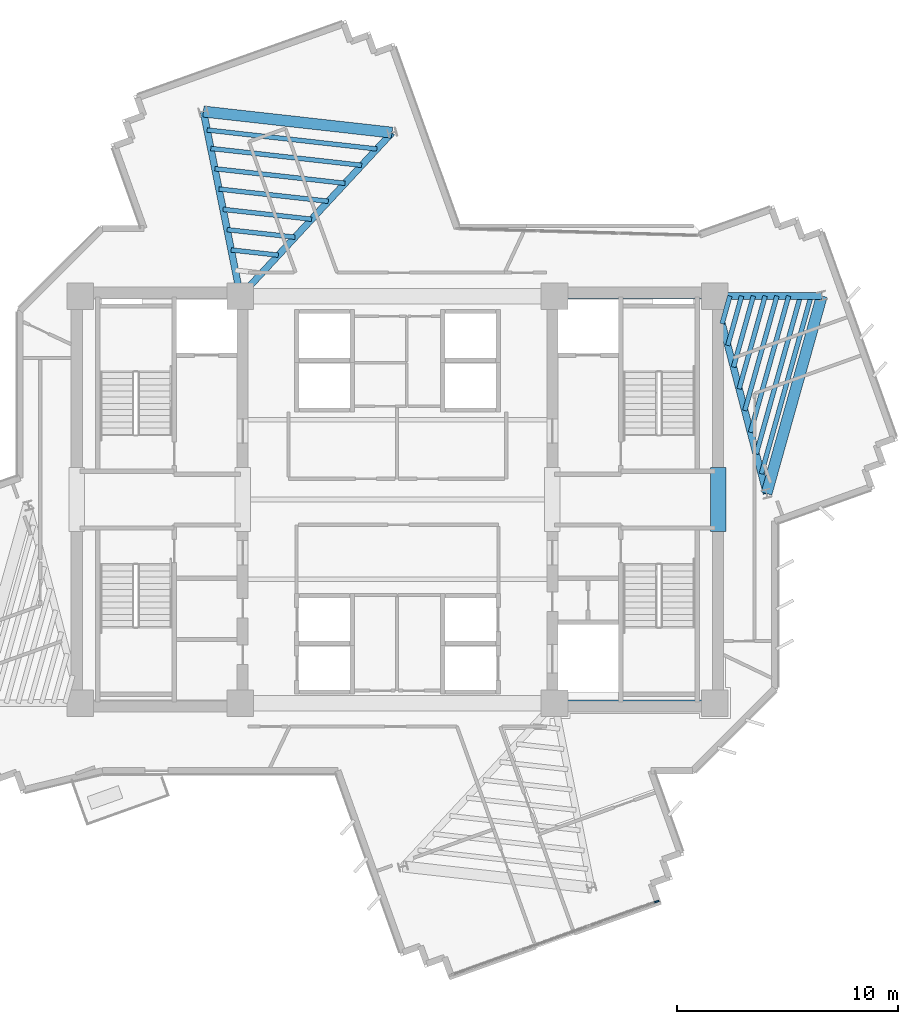
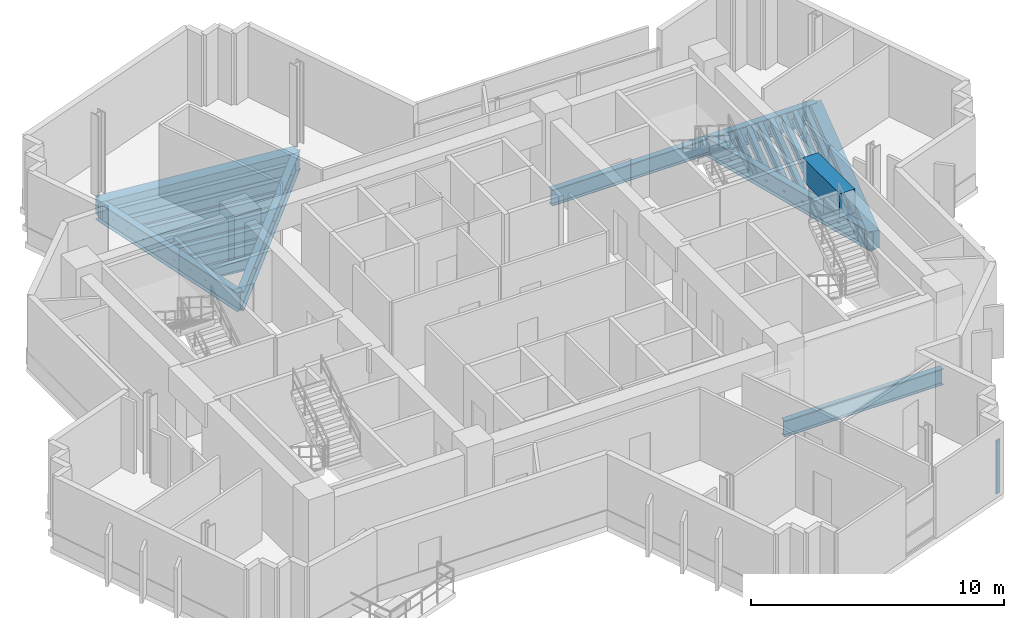
# One storey, part 3 of 13: 24 beams, 1 member, 1 element without a shape of its own.
"""IFC4 building model written with IfcOpenShell, lengths in metres."""

from ifc_helpers import new_model, si_unit, direction, frame, origin, origin_2d, place, context, subcontext, project, spatial, rectangle, i_section, extrude, source, transform, mapped, material, layer, layer_set, material_profile, profile_set, type_object, element, aggregate, save


model = new_model("IFC4")

# Units and contexts
model_context = context("Model", 3, precision=1e-05, world=origin(), true_north=direction((0.0, 1.0)))
body_context = subcontext(model_context, "Body", "Model", "MODEL_VIEW")
ifc_project = project(units=[si_unit("LENGTHUNIT", "METRE"), si_unit("AREAUNIT", "SQUARE_METRE"), si_unit("VOLUMEUNIT", "CUBIC_METRE"), si_unit("PLANEANGLEUNIT", "RADIAN"), si_unit("MASSUNIT", "GRAM", prefix="KILO")], contexts=[model_context])

# Site, building, storey
site_placement = place(None, origin())
site = spatial("IfcSite", under=ifc_project, at=site_placement, CompositionType="ELEMENT")
building_placement = place(site_placement, origin())
building = spatial("IfcBuilding", under=site, at=building_placement, Name="Zahravan Cultural Tower", CompositionType="ELEMENT")
storey_placement = place(building_placement, frame((0.0, 0.0, 225.300048828125)))
storey = spatial("IfcBuildingStorey", under=building, at=storey_placement, Name="L53", CompositionType="ELEMENT", Elevation=225.300048828125)

# Beams
ifc_material_1 = material(Name="Concrete C50/60", Category="concrete")
ifc_material_profile_1 = material_profile(ifc_material_1, rectangle(XDim=0.699951171875, YDim=1.14990234375, at=origin_2d()), Name="RC700X1150")
ifc_profile_set_1 = profile_set([ifc_material_profile_1], Name="Concrete C50/60")
beam_type_1 = type_object("IfcBeamType", Name="BM-LN-RC700X1150", PredefinedType="LINTEL", material=ifc_profile_set_1)
shared_shape_1 = source(origin(), body_context, "Body", "SweptSolid", [
    extrude(rectangle(XDim=0.699951171875, YDim=1.14990234375, at=origin_2d()), origin(), (0.0, 0.0, 1.0), 2.89990234375),
])
beam_1_placement = place(storey_placement, frame((50.5, 25.550048828125, 2.875), z_axis=(0.0, 1.0, 0.0), x_axis=(-1.0, 0.0, 0.0)))
element("IfcBeam", 1, at=beam_1_placement, inside=storey, type_object=beam_type_1, Name="L53 Beam LN-L53-PEE", PredefinedType="LINTEL", context=body_context, shape_type="MappedRepresentation", body=[
    mapped(shared_shape_1, transform((0.0, 0.0, 0.0), x_axis=(1.0, 0.0, 0.0), y_axis=(0.0, 1.0, 0.0), z_axis=(0.0, 0.0, 1.0), scale=1.0)),
])
ifc_material_2 = material(Name="Steel ASTM A992 Grade 50", Category="steel")
ifc_material_profile_2 = material_profile(ifc_material_2, i_section(OverallWidth=0.26611328125, OverallDepth=0.780029296875, WebThickness=0.0166015625, FlangeThickness=0.030029296875, FilletRadius=0.01904296875, at=origin_2d()), Name="W30X148")
ifc_profile_set_2 = profile_set([ifc_material_profile_2], Name="Steel ASTM A992 Grade 50")
beam_type_2 = type_object("IfcBeamType", Name="BM-G-W30X148", PredefinedType="BEAM", material=ifc_profile_set_2)
shared_shape_2 = source(origin(), body_context, "Body", "SweptSolid", [
    extrude(i_section(OverallWidth=0.26611328125, OverallDepth=0.780029296875, WebThickness=0.0166015625, FlangeThickness=0.030029296875, FilletRadius=0.01904296875, at=origin_2d()), origin(), (0.0, 0.0, 1.0), 7.25),
])
for number, where, z_axis, x_axis, name in (
    (2, (43.10009765625, 17.800048828125, -0.670166015625), (1.0, 0.0, 0.0), (0.0, 1.0, 0.0), "L53 Beam BG-L53-04"),
    (3, (43.10009765625, 36.199951171875, -0.670166015625), (1.0, 0.0, 0.0), (0.0, 1.0, 0.0), "L53 Beam BG-L53-05"),
):
    element("IfcBeam", number, at=place(storey_placement, frame(where, z_axis=z_axis, x_axis=x_axis)), inside=storey, type_object=beam_type_2, Name=name, PredefinedType="BEAM", context=body_context, shape_type="MappedRepresentation", body=[
        mapped(shared_shape_2, transform((0.0, 0.0, 0.0), x_axis=(1.0, 0.0, 0.0), y_axis=(0.0, 1.0, 0.0), z_axis=(0.0, 0.0, 1.0), scale=1.0)),
    ])
ifc_material_profile_3 = material_profile(ifc_material_2, i_section(OverallWidth=0.304931640625, OverallDepth=0.9189453125, WebThickness=0.017333984375, FlangeThickness=0.02783203125, FilletRadius=0.02392578125, at=origin_2d()), Name="W36X170")
ifc_profile_set_3 = profile_set([ifc_material_profile_3], Name="Steel ASTM A992 Grade 50")
beam_type_3 = type_object("IfcBeamType", Name="BM-G-W36X170", PredefinedType="BEAM", material=ifc_profile_set_3)
shared_shape_3 = source(origin(), body_context, "Body", "SweptSolid", [
    extrude(i_section(OverallWidth=0.304931640625, OverallDepth=0.9189453125, WebThickness=0.017333984375, FlangeThickness=0.02783203125, FilletRadius=0.02392578125, at=origin_2d()), origin(), (0.0, 0.0, 1.0), 9.22900390625),
])
beam_2_placement = place(storey_placement, frame((50.35009765625, 36.199951171875, -0.739501953125), z_axis=(0.252922608408, -0.967486513682, 0.0), x_axis=(0.967486513682, 0.252922608408, 0.0)))
element("IfcBeam", 4, at=beam_2_placement, inside=storey, type_object=beam_type_3, Name="L53 Beam BG-L53-11", PredefinedType="BEAM", context=body_context, shape_type="MappedRepresentation", body=[
    mapped(shared_shape_3, transform((0.0, 0.0, 0.0), x_axis=(1.0, 0.0, 0.0), y_axis=(0.0, 1.0, 0.0), z_axis=(0.0, 0.0, 1.0), scale=1.0)),
])
shared_shape_4 = source(origin(), body_context, "Body", "SweptSolid", [
    extrude(i_section(OverallWidth=0.304931640625, OverallDepth=0.9189453125, WebThickness=0.017333984375, FlangeThickness=0.02783203125, FilletRadius=0.02392578125, at=origin_2d()), origin(), (0.0, 0.0, 1.0), 4.834716796875),
])
beam_3_placement = place(storey_placement, frame((50.35009765625, 36.199951171875, -0.739501953125), z_axis=(0.99999920313, 0.001262433979, 0.0), x_axis=(-0.001262433979, 0.99999920313, 0.0)))
element("IfcBeam", 5, at=beam_3_placement, inside=storey, type_object=beam_type_3, Name="L53 Beam BG-L53-12", PredefinedType="BEAM", context=body_context, shape_type="MappedRepresentation", body=[
    mapped(shared_shape_4, transform((0.0, 0.0, 0.0), x_axis=(1.0, 0.0, 0.0), y_axis=(0.0, 1.0, 0.0), z_axis=(0.0, 0.0, 1.0), scale=1.0)),
])
shared_shape_5 = source(origin(), body_context, "Body", "SweptSolid", [
    extrude(i_section(OverallWidth=0.304931640625, OverallDepth=0.9189453125, WebThickness=0.017333984375, FlangeThickness=0.02783203125, FilletRadius=0.02392578125, at=origin_2d()), origin(), (0.0, 0.0, 1.0), 10.077880859375),
])
beam_4_placement = place(storey_placement, frame((28.89990234375, 36.199951171875, -0.739501953125), z_axis=(0.680170435587, 0.733054007938, 0.0), x_axis=(-0.733054007938, 0.680170435587, 0.0)))
element("IfcBeam", 6, at=beam_4_placement, inside=storey, type_object=beam_type_3, Name="L53 Beam BG-L53-13", PredefinedType="BEAM", context=body_context, shape_type="MappedRepresentation", body=[
    mapped(shared_shape_5, transform((0.0, 0.0, 0.0), x_axis=(1.0, 0.0, 0.0), y_axis=(0.0, 1.0, 0.0), z_axis=(0.0, 0.0, 1.0), scale=1.0)),
])
shared_shape_6 = source(origin(), body_context, "Body", "SweptSolid", [
    extrude(i_section(OverallWidth=0.304931640625, OverallDepth=0.9189453125, WebThickness=0.017333984375, FlangeThickness=0.02783203125, FilletRadius=0.02392578125, at=origin_2d()), origin(), (0.0, 0.0, 1.0), 8.50732421875),
])
beam_5_placement = place(storey_placement, frame((28.89990234375, 36.199951171875, -0.739501953125), z_axis=(-0.196524514012, 0.980498911469, 0.0), x_axis=(-0.980498911469, -0.196524514012, 0.0)))
element("IfcBeam", 7, at=beam_5_placement, inside=storey, type_object=beam_type_3, Name="L53 Beam BG-L53-14", PredefinedType="BEAM", context=body_context, shape_type="MappedRepresentation", body=[
    mapped(shared_shape_6, transform((0.0, 0.0, 0.0), x_axis=(1.0, 0.0, 0.0), y_axis=(0.0, 1.0, 0.0), z_axis=(0.0, 0.0, 1.0), scale=1.0)),
])
ifc_material_profile_4 = material_profile(ifc_material_1, rectangle(XDim=0.5, YDim=0.85009765625, at=origin_2d()), Name="RC500X850")
ifc_profile_set_4 = profile_set([ifc_material_profile_4], Name="Concrete C50/60")
beam_type_4 = type_object("IfcBeamType", Name="BM-SP-RC500X850", PredefinedType="SPANDREL", material=ifc_profile_set_4)
shared_shape_7 = source(origin(), body_context, "Body", "SweptSolid", [
    extrude(rectangle(XDim=0.5, YDim=0.85009765625, at=origin_2d()), origin(), (0.0, 0.0, 1.0), 9.2783203125),
])
beam_6_placement = place(storey_placement, frame((52.684326171875, 27.27099609375, -0.705078125), z_axis=(0.269497187032, 0.963001176625, 0.0), x_axis=(-0.963001176625, 0.269497187032, 0.0)))
element("IfcBeam", 8, at=beam_6_placement, inside=storey, type_object=beam_type_4, Name="L53 Beam SP-L53-17", PredefinedType="SPANDREL", context=body_context, shape_type="MappedRepresentation", body=[
    mapped(shared_shape_7, transform((0.0, 0.0, 0.0), x_axis=(1.0, 0.0, 0.0), y_axis=(0.0, 1.0, 0.0), z_axis=(0.0, 0.0, 1.0), scale=1.0)),
])
shared_shape_8 = source(origin(), body_context, "Body", "SweptSolid", [
    extrude(rectangle(XDim=0.5, YDim=0.85009765625, at=origin_2d()), origin(), (0.0, 0.0, 1.0), 8.579833984375),
])
beam_7_placement = place(storey_placement, frame((35.754638671875, 43.587646484375, -0.705078125), z_axis=(-0.9938040105, 0.11114669907, 0.0), x_axis=(-0.11114669907, -0.9938040105, 0.0)))
element("IfcBeam", 9, at=beam_7_placement, inside=storey, type_object=beam_type_4, Name="L53 Beam SP-L53-18", PredefinedType="SPANDREL", context=body_context, shape_type="MappedRepresentation", body=[
    mapped(shared_shape_8, transform((0.0, 0.0, 0.0), x_axis=(1.0, 0.0, 0.0), y_axis=(0.0, 1.0, 0.0), z_axis=(0.0, 0.0, 1.0), scale=1.0)),
])
ifc_material_profile_5 = material_profile(ifc_material_2, i_section(OverallWidth=0.2099609375, OverallDepth=0.532958984375, WebThickness=0.01025390625, FlangeThickness=0.015625, FilletRadius=0.013916015625, at=origin_2d()), Name="W21X62")
ifc_profile_set_5 = profile_set([ifc_material_profile_5], Name="Steel ASTM A992 Grade 50")
beam_type_5 = type_object("IfcBeamType", Name="BM-J-W21X62", PredefinedType="JOIST", material=ifc_profile_set_5)
shared_shape_9 = source(origin(), body_context, "Body", "SweptSolid", [
    extrude(i_section(OverallWidth=0.2099609375, OverallDepth=0.532958984375, WebThickness=0.01025390625, FlangeThickness=0.015625, FilletRadius=0.013916015625, at=origin_2d()), origin(), (0.0, 0.0, 1.0), 1.299072265625),
])
beam_8_placement = place(storey_placement, frame((50.6767578125, 34.949951171875, -0.546630859375), z_axis=(0.269504444708, 0.962999145525, 0.0), x_axis=(-0.962999145525, 0.269504444708, 0.0)))
element("IfcBeam", 10, at=beam_8_placement, inside=storey, type_object=beam_type_5, Name="L53 Beam BJ-L53-38", PredefinedType="JOIST", context=body_context, shape_type="MappedRepresentation", body=[
    mapped(shared_shape_9, transform((0.0, 0.0, 0.0), x_axis=(1.0, 0.0, 0.0), y_axis=(0.0, 1.0, 0.0), z_axis=(0.0, 0.0, 1.0), scale=1.0)),
])
shared_shape_10 = source(origin(), body_context, "Body", "SweptSolid", [
    extrude(i_section(OverallWidth=0.2099609375, OverallDepth=0.532958984375, WebThickness=0.01025390625, FlangeThickness=0.015625, FilletRadius=0.013916015625, at=origin_2d()), origin(), (0.0, 0.0, 1.0), 2.3193359375),
])
beam_9_placement = place(storey_placement, frame((50.93359375, 33.9677734375, -0.546630859375), z_axis=(0.269462038626, 0.963011012263, 0.0), x_axis=(-0.963011012263, 0.269462038626, 0.0)))
element("IfcBeam", 11, at=beam_9_placement, inside=storey, type_object=beam_type_5, Name="L53 Beam BJ-L53-39", PredefinedType="JOIST", context=body_context, shape_type="MappedRepresentation", body=[
    mapped(shared_shape_10, transform((0.0, 0.0, 0.0), x_axis=(1.0, 0.0, 0.0), y_axis=(0.0, 1.0, 0.0), z_axis=(0.0, 0.0, 1.0), scale=1.0)),
])
shared_shape_11 = source(origin(), body_context, "Body", "SweptSolid", [
    extrude(i_section(OverallWidth=0.2099609375, OverallDepth=0.532958984375, WebThickness=0.01025390625, FlangeThickness=0.015625, FilletRadius=0.013916015625, at=origin_2d()), origin(), (0.0, 0.0, 1.0), 3.340087890625),
])
beam_10_placement = place(storey_placement, frame((51.190185546875, 32.985595703125, -0.546630859375), z_axis=(0.269562146951, 0.962982995141, 0.0), x_axis=(-0.962982995141, 0.269562146951, 0.0)))
element("IfcBeam", 12, at=beam_10_placement, inside=storey, type_object=beam_type_5, Name="L53 Beam BJ-L53-40", PredefinedType="JOIST", context=body_context, shape_type="MappedRepresentation", body=[
    mapped(shared_shape_11, transform((0.0, 0.0, 0.0), x_axis=(1.0, 0.0, 0.0), y_axis=(0.0, 1.0, 0.0), z_axis=(0.0, 0.0, 1.0), scale=1.0)),
])
shared_shape_12 = source(origin(), body_context, "Body", "SweptSolid", [
    extrude(i_section(OverallWidth=0.2099609375, OverallDepth=0.532958984375, WebThickness=0.01025390625, FlangeThickness=0.015625, FilletRadius=0.013916015625, at=origin_2d()), origin(), (0.0, 0.0, 1.0), 4.36083984375),
])
beam_11_placement = place(storey_placement, frame((51.447021484375, 32.00341796875, -0.546630859375), z_axis=(0.269511557673, 0.962997154866, 0.0), x_axis=(-0.962997154866, 0.269511557673, 0.0)))
element("IfcBeam", 13, at=beam_11_placement, inside=storey, type_object=beam_type_5, Name="L53 Beam BJ-L53-41", PredefinedType="JOIST", context=body_context, shape_type="MappedRepresentation", body=[
    mapped(shared_shape_12, transform((0.0, 0.0, 0.0), x_axis=(1.0, 0.0, 0.0), y_axis=(0.0, 1.0, 0.0), z_axis=(0.0, 0.0, 1.0), scale=1.0)),
])
shared_shape_13 = source(origin(), body_context, "Body", "SweptSolid", [
    extrude(i_section(OverallWidth=0.2099609375, OverallDepth=0.532958984375, WebThickness=0.01025390625, FlangeThickness=0.015625, FilletRadius=0.013916015625, at=origin_2d()), origin(), (0.0, 0.0, 1.0), 5.3818359375),
])
beam_12_placement = place(storey_placement, frame((51.703857421875, 31.02099609375, -0.546630859375), z_axis=(0.269510454638, 0.962997463569, 0.0), x_axis=(-0.962997463569, 0.269510454638, 0.0)))
element("IfcBeam", 14, at=beam_12_placement, inside=storey, type_object=beam_type_5, Name="L53 Beam BJ-L53-42", PredefinedType="JOIST", context=body_context, shape_type="MappedRepresentation", body=[
    mapped(shared_shape_13, transform((0.0, 0.0, 0.0), x_axis=(1.0, 0.0, 0.0), y_axis=(0.0, 1.0, 0.0), z_axis=(0.0, 0.0, 1.0), scale=1.0)),
])
shared_shape_14 = source(origin(), body_context, "Body", "SweptSolid", [
    extrude(i_section(OverallWidth=0.2099609375, OverallDepth=0.532958984375, WebThickness=0.01025390625, FlangeThickness=0.015625, FilletRadius=0.013916015625, at=origin_2d()), origin(), (0.0, 0.0, 1.0), 6.402099609375),
])
beam_13_placement = place(storey_placement, frame((51.960693359375, 30.038818359375, -0.546630859375), z_axis=(0.269494133533, 0.963002031146, 0.0), x_axis=(-0.963002031146, 0.269494133533, 0.0)))
element("IfcBeam", 15, at=beam_13_placement, inside=storey, type_object=beam_type_5, Name="L53 Beam BJ-L53-43", PredefinedType="JOIST", context=body_context, shape_type="MappedRepresentation", body=[
    mapped(shared_shape_14, transform((0.0, 0.0, 0.0), x_axis=(1.0, 0.0, 0.0), y_axis=(0.0, 1.0, 0.0), z_axis=(0.0, 0.0, 1.0), scale=1.0)),
])
shared_shape_15 = source(origin(), body_context, "Body", "SweptSolid", [
    extrude(i_section(OverallWidth=0.2099609375, OverallDepth=0.532958984375, WebThickness=0.01025390625, FlangeThickness=0.015625, FilletRadius=0.013916015625, at=origin_2d()), origin(), (0.0, 0.0, 1.0), 7.4228515625),
])
beam_14_placement = place(storey_placement, frame((52.21728515625, 29.056640625, -0.546630859375), z_axis=(0.269504266128, 0.962999195503, 0.0), x_axis=(-0.962999195503, 0.269504266128, 0.0)))
element("IfcBeam", 16, at=beam_14_placement, inside=storey, type_object=beam_type_5, Name="L53 Beam BJ-L53-44", PredefinedType="JOIST", context=body_context, shape_type="MappedRepresentation", body=[
    mapped(shared_shape_15, transform((0.0, 0.0, 0.0), x_axis=(1.0, 0.0, 0.0), y_axis=(0.0, 1.0, 0.0), z_axis=(0.0, 0.0, 1.0), scale=1.0)),
])
shared_shape_16 = source(origin(), body_context, "Body", "SweptSolid", [
    extrude(i_section(OverallWidth=0.2099609375, OverallDepth=0.532958984375, WebThickness=0.01025390625, FlangeThickness=0.015625, FilletRadius=0.013916015625, at=origin_2d()), origin(), (0.0, 0.0, 1.0), 8.350830078125),
])
beam_15_placement = place(storey_placement, frame((52.450927734375, 28.163818359375, -0.546630859375), z_axis=(0.269496539555, 0.963001357822, 0.0), x_axis=(-0.963001357822, 0.269496539555, 0.0)))
element("IfcBeam", 17, at=beam_15_placement, inside=storey, type_object=beam_type_5, Name="L53 Beam BJ-L53-45", PredefinedType="JOIST", context=body_context, shape_type="MappedRepresentation", body=[
    mapped(shared_shape_16, transform((0.0, 0.0, 0.0), x_axis=(1.0, 0.0, 0.0), y_axis=(0.0, 1.0, 0.0), z_axis=(0.0, 0.0, 1.0), scale=1.0)),
])
shared_shape_17 = source(origin(), body_context, "Body", "SweptSolid", [
    extrude(i_section(OverallWidth=0.2099609375, OverallDepth=0.532958984375, WebThickness=0.01025390625, FlangeThickness=0.015625, FilletRadius=0.013916015625, at=origin_2d()), origin(), (0.0, 0.0, 1.0), 2.144775390625),
])
beam_16_placement = place(storey_placement, frame((30.613525390625, 38.046875, -0.546630859375), z_axis=(-0.993797370806, 0.111206051, 0.0), x_axis=(-0.111206051, -0.993797370806, 0.0)))
element("IfcBeam", 18, at=beam_16_placement, inside=storey, type_object=beam_type_5, Name="L53 Beam BJ-L53-47", PredefinedType="JOIST", context=body_context, shape_type="MappedRepresentation", body=[
    mapped(shared_shape_17, transform((0.0, 0.0, 0.0), x_axis=(1.0, 0.0, 0.0), y_axis=(0.0, 1.0, 0.0), z_axis=(0.0, 0.0, 1.0), scale=1.0)),
])
shared_shape_18 = source(origin(), body_context, "Body", "SweptSolid", [
    extrude(i_section(OverallWidth=0.2099609375, OverallDepth=0.532958984375, WebThickness=0.01025390625, FlangeThickness=0.015625, FilletRadius=0.013916015625, at=origin_2d()), origin(), (0.0, 0.0, 1.0), 3.088623046875),
])
beam_17_placement = place(storey_placement, frame((31.36767578125, 38.859619140625, -0.546630859375), z_axis=(-0.993805407368, 0.111134208443, 0.0), x_axis=(-0.111134208443, -0.993805407368, 0.0)))
element("IfcBeam", 19, at=beam_17_placement, inside=storey, type_object=beam_type_5, Name="L53 Beam BJ-L53-48", PredefinedType="JOIST", context=body_context, shape_type="MappedRepresentation", body=[
    mapped(shared_shape_18, transform((0.0, 0.0, 0.0), x_axis=(1.0, 0.0, 0.0), y_axis=(0.0, 1.0, 0.0), z_axis=(0.0, 0.0, 1.0), scale=1.0)),
])
shared_shape_19 = source(origin(), body_context, "Body", "SweptSolid", [
    extrude(i_section(OverallWidth=0.2099609375, OverallDepth=0.532958984375, WebThickness=0.01025390625, FlangeThickness=0.015625, FilletRadius=0.013916015625, at=origin_2d()), origin(), (0.0, 0.0, 1.0), 4.0322265625),
])
beam_18_placement = place(storey_placement, frame((32.12158203125, 39.672119140625, -0.546630859375), z_axis=(-0.993802245601, 0.11116247855, 0.0), x_axis=(-0.11116247855, -0.993802245601, 0.0)))
element("IfcBeam", 20, at=beam_18_placement, inside=storey, type_object=beam_type_5, Name="L53 Beam BJ-L53-49", PredefinedType="JOIST", context=body_context, shape_type="MappedRepresentation", body=[
    mapped(shared_shape_19, transform((0.0, 0.0, 0.0), x_axis=(1.0, 0.0, 0.0), y_axis=(0.0, 1.0, 0.0), z_axis=(0.0, 0.0, 1.0), scale=1.0)),
])
shared_shape_20 = source(origin(), body_context, "Body", "SweptSolid", [
    extrude(i_section(OverallWidth=0.2099609375, OverallDepth=0.532958984375, WebThickness=0.01025390625, FlangeThickness=0.015625, FilletRadius=0.013916015625, at=origin_2d()), origin(), (0.0, 0.0, 1.0), 4.97607421875),
])
beam_19_placement = place(storey_placement, frame((32.875732421875, 40.48486328125, -0.546630859375), z_axis=(-0.993806308517, 0.111126149723, 0.0), x_axis=(-0.111126149723, -0.993806308517, 0.0)))
element("IfcBeam", 21, at=beam_19_placement, inside=storey, type_object=beam_type_5, Name="L53 Beam BJ-L53-50", PredefinedType="JOIST", context=body_context, shape_type="MappedRepresentation", body=[
    mapped(shared_shape_20, transform((0.0, 0.0, 0.0), x_axis=(1.0, 0.0, 0.0), y_axis=(0.0, 1.0, 0.0), z_axis=(0.0, 0.0, 1.0), scale=1.0)),
])
shared_shape_21 = source(origin(), body_context, "Body", "SweptSolid", [
    extrude(i_section(OverallWidth=0.2099609375, OverallDepth=0.532958984375, WebThickness=0.01025390625, FlangeThickness=0.015625, FilletRadius=0.013916015625, at=origin_2d()), origin(), (0.0, 0.0, 1.0), 5.919921875),
])
beam_20_placement = place(storey_placement, frame((33.629638671875, 41.29736328125, -0.546630859375), z_axis=(-0.993804520866, 0.111142135602, 0.0), x_axis=(-0.111142135602, -0.993804520866, 0.0)))
element("IfcBeam", 22, at=beam_20_placement, inside=storey, type_object=beam_type_5, Name="L53 Beam BJ-L53-51", PredefinedType="JOIST", context=body_context, shape_type="MappedRepresentation", body=[
    mapped(shared_shape_21, transform((0.0, 0.0, 0.0), x_axis=(1.0, 0.0, 0.0), y_axis=(0.0, 1.0, 0.0), z_axis=(0.0, 0.0, 1.0), scale=1.0)),
])
shared_shape_22 = source(origin(), body_context, "Body", "SweptSolid", [
    extrude(i_section(OverallWidth=0.2099609375, OverallDepth=0.532958984375, WebThickness=0.01025390625, FlangeThickness=0.015625, FilletRadius=0.013916015625, at=origin_2d()), origin(), (0.0, 0.0, 1.0), 6.86376953125),
])
beam_21_placement = place(storey_placement, frame((34.3837890625, 42.110107421875, -0.546630859375), z_axis=(-0.993803224695, 0.111153725024, 0.0), x_axis=(-0.111153725024, -0.993803224695, 0.0)))
element("IfcBeam", 23, at=beam_21_placement, inside=storey, type_object=beam_type_5, Name="L53 Beam BJ-L53-52", PredefinedType="JOIST", context=body_context, shape_type="MappedRepresentation", body=[
    mapped(shared_shape_22, transform((0.0, 0.0, 0.0), x_axis=(1.0, 0.0, 0.0), y_axis=(0.0, 1.0, 0.0), z_axis=(0.0, 0.0, 1.0), scale=1.0)),
])
shared_shape_23 = source(origin(), body_context, "Body", "SweptSolid", [
    extrude(i_section(OverallWidth=0.2099609375, OverallDepth=0.532958984375, WebThickness=0.01025390625, FlangeThickness=0.015625, FilletRadius=0.013916015625, at=origin_2d()), origin(), (0.0, 0.0, 1.0), 7.7216796875),
])
beam_22_placement = place(storey_placement, frame((35.069091796875, 42.848876953125, -0.546630859375), z_axis=(-0.993805212115, 0.11113595446, 0.0), x_axis=(-0.11113595446, -0.993805212115, 0.0)))
element("IfcBeam", 24, at=beam_22_placement, inside=storey, type_object=beam_type_5, Name="L53 Beam BJ-L53-53", PredefinedType="JOIST", context=body_context, shape_type="MappedRepresentation", body=[
    mapped(shared_shape_23, transform((0.0, 0.0, 0.0), x_axis=(1.0, 0.0, 0.0), y_axis=(0.0, 1.0, 0.0), z_axis=(0.0, 0.0, 1.0), scale=1.0)),
])

# Curtain wall, member
ifc_material_3 = material(Name="Anodised bronze-aluminium mullion", Category="aluminium")
ifc_layer = layer(ifc_material_3, 0.199951171875)
ifc_layer_set = layer_set([ifc_layer], Name="Anodised bronze-aluminium mullion")
curtain_wall_type = type_object("IfcCurtainWallType", Name="CW-SYS-2", PredefinedType="USERDEFINED", material=ifc_layer_set)
curtain_wall_placement = place(storey_placement, origin())
curtain_wall = element("IfcCurtainWall", 25, at=curtain_wall_placement, inside=storey, type_object=curtain_wall_type, Name="L53 Recessed Curtain Wall CW-2.1", ObjectType="RECESSED GLAZING", PredefinedType="USERDEFINED")
ifc_material_profile_6 = material_profile(ifc_material_3, rectangle(XDim=0.074951171875, YDim=0.199951171875, at=origin_2d()), Name="AL-M75X200")
ifc_profile_set_6 = profile_set([ifc_material_profile_6], Name="Anodised bronze-aluminium mullion")
member_type = type_object("IfcMemberType", Name="CWM-CW-2", PredefinedType="MULLION", material=ifc_profile_set_6)
shared_shape_24 = source(origin(), body_context, "Body", "SweptSolid", [
    extrude(rectangle(XDim=0.074951171875, YDim=0.199951171875, at=origin_2d()), origin(), (0.0, 0.0, 1.0), 2.570068359375),
])
member_placement = place(storey_placement, frame((47.72314453125, 8.8251953125, 0.0), z_axis=(0.0, 0.0, 1.0), x_axis=(0.336540737832, -0.941668907727, 0.0)))
member = element("IfcMember", 26, at=member_placement, type_object=member_type, Name="CW-2 mullion 1", PredefinedType="MULLION", context=body_context, shape_type="MappedRepresentation", body=[
    mapped(shared_shape_24, transform((0.0, 0.0, 0.0), x_axis=(1.0, 0.0, 0.0), y_axis=(0.0, 1.0, 0.0), z_axis=(0.0, 0.0, 1.0), scale=1.0)),
])
aggregate(curtain_wall, [member])

save(model, "model.ifc")
